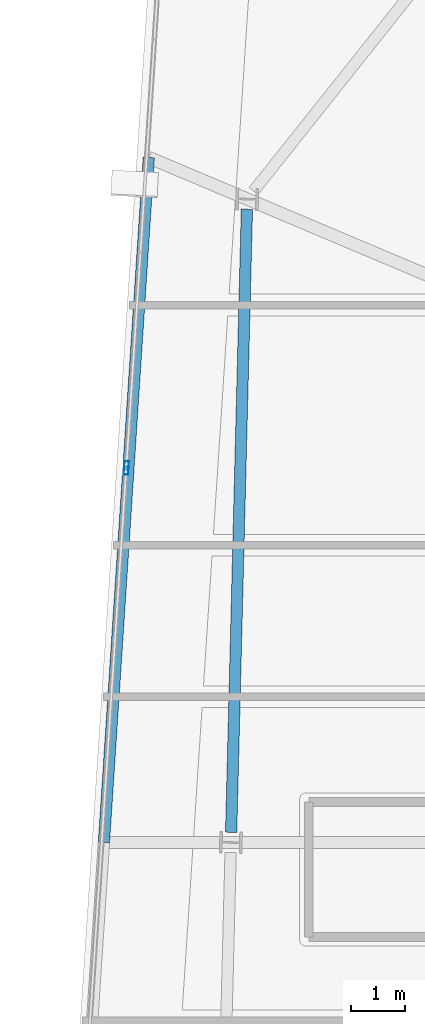
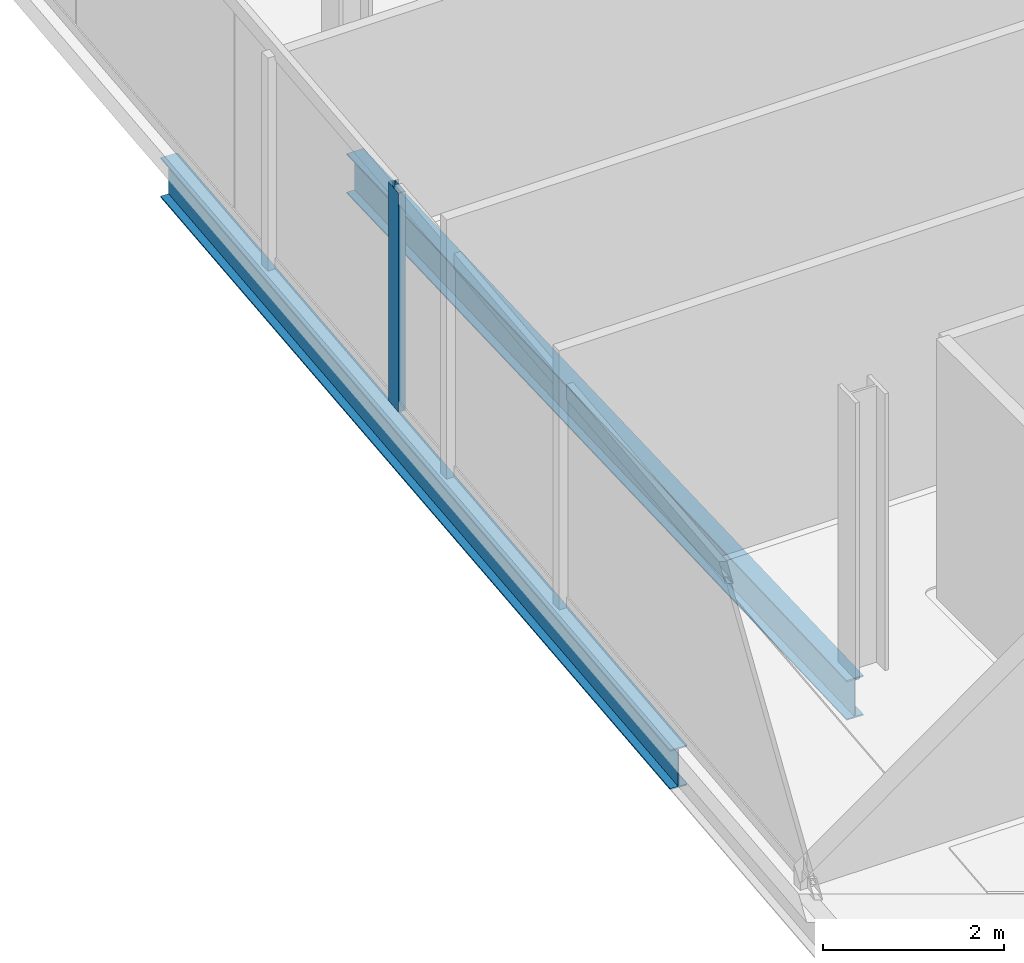
# One storey, part 7 of 24: 2 beams, 1 member, 1 element without a shape of its own.
"""IFC4 building model written with IfcOpenShell, lengths in metres."""

from ifc_helpers import new_model, si_unit, direction, frame, origin, origin_2d, place, context, subcontext, project, spatial, hollow_rectangle, i_section, extrude, material, material_profile, profile_set, type_object, element, aggregate, save


model = new_model("IFC4")

# Units and contexts
model_context = context("Model", 3, precision=1e-05, world=origin(), true_north=direction((0.0, 1.0)))
body_context = subcontext(model_context, "Body", "Model", "MODEL_VIEW")
ifc_project = project(units=[si_unit("LENGTHUNIT", "METRE"), si_unit("AREAUNIT", "SQUARE_METRE"), si_unit("VOLUMEUNIT", "CUBIC_METRE"), si_unit("PLANEANGLEUNIT", "RADIAN"), si_unit("MASSUNIT", "GRAM", prefix="KILO")], contexts=[model_context])

# Site, building, storey
site_placement = place(None, origin())
site = spatial("IfcSite", under=ifc_project, at=site_placement, CompositionType="ELEMENT")
building_placement = place(site_placement, origin())
building = spatial("IfcBuilding", under=site, at=building_placement, Name="Haldenkirk Collegiate Tower", CompositionType="ELEMENT")
storey_placement = place(building_placement, frame((0.0, 0.0, 317.699951171875)))
storey = spatial("IfcBuildingStorey", under=building, at=storey_placement, Name="L80", CompositionType="ELEMENT", Elevation=317.699951171875)

# Beams
ifc_material_1 = material(Name="Steel ASTM A992 Grade 50", Category="steel")
ifc_material_profile_1 = material_profile(ifc_material_1, i_section(OverallWidth=0.2099609375, OverallDepth=0.537109375, WebThickness=0.010986328125, FlangeThickness=0.017333984375, at=origin_2d()), Name="W21X68")
ifc_profile_set_1 = profile_set([ifc_material_profile_1], Name="Steel ASTM A992 Grade 50")
beam_type = type_object("IfcBeamType", Name="BM-SPANDREL-W21X68", PredefinedType="SPANDREL", material=ifc_profile_set_1)
beam_1_placement = place(storey_placement, frame((16.552978515625, 38.22412109375, -0.528564453125), z_axis=(-0.025302458902, -0.999679841536, 0.0), x_axis=(0.999679841536, -0.025302458902, 0.0)))
element("IfcBeam", 1, at=beam_1_placement, inside=storey, type_object=beam_type, Name="L80 perimeter spandrel beam 10", PredefinedType="SPANDREL", context=body_context, shape_type="SweptSolid", body=[
    extrude(i_section(OverallWidth=0.2099609375, OverallDepth=0.537109375, WebThickness=0.010986328125, FlangeThickness=0.017333984375, at=origin_2d()), origin(), (0.0, 0.0, 1.0), 11.5400390625),
])
beam_2_placement = place(storey_placement, frame((14.736572265625, 39.181396484375, -0.528564453125), z_axis=(-0.065391850663, -0.997859662411, 0.0), x_axis=(0.997859662411, -0.065391850663, 0.0)))
element("IfcBeam", 2, at=beam_2_placement, inside=storey, type_object=beam_type, Name="L80 outer facade edge beam 3A", PredefinedType="SPANDREL", context=body_context, shape_type="SweptSolid", body=[
    extrude(i_section(OverallWidth=0.2099609375, OverallDepth=0.537109375, WebThickness=0.010986328125, FlangeThickness=0.017333984375, at=origin_2d()), origin(), (0.0, 0.0, 1.0), 12.708740234375),
])

# Curtain wall, member
ifc_material_2 = material(Name="Anodised architectural bronze aluminium", Category="aluminium")
curtain_wall_type = type_object("IfcCurtainWallType", Name="CW-SYS1B-CONVEX-HI", PredefinedType="USERDEFINED", material=ifc_material_2)
curtain_wall_placement = place(storey_placement, origin())
curtain_wall = element("IfcCurtainWall", 3, at=curtain_wall_placement, inside=storey, type_object=curtain_wall_type, Name="L80 Upper tower high-wind convex bronze unitised curtain wall", ObjectType="UNITISED CURTAIN WALL", PredefinedType="USERDEFINED")
ifc_material_profile_2 = material_profile(ifc_material_2, hollow_rectangle(XDim=0.0849609375, YDim=0.25, WallThickness=0.0048828125, at=origin_2d()), Name="CW-MUL-1B")
ifc_profile_set_2 = profile_set([ifc_material_profile_2], Name="Anodised architectural bronze aluminium")
member_type = type_object("IfcMemberType", Name="CW-MUL-1B", PredefinedType="MULLION", material=ifc_profile_set_2)
member_placement = place(storey_placement, frame((14.31982421875, 33.433837890625, 0.0), z_axis=(0.0, 0.0, 1.0), x_axis=(-0.99785893177, 0.065402999064, 0.0)))
member = element("IfcMember", 4, at=member_placement, type_object=member_type, Name="CW-1B mullion 3", PredefinedType="MULLION", context=body_context, shape_type="SweptSolid", body=[
    extrude(hollow_rectangle(XDim=0.0849609375, YDim=0.25, WallThickness=0.0048828125, at=origin_2d()), origin(), (0.0, 0.0, 1.0), 2.947998046875),
])
aggregate(curtain_wall, [member])

save(model, "model.ifc")
